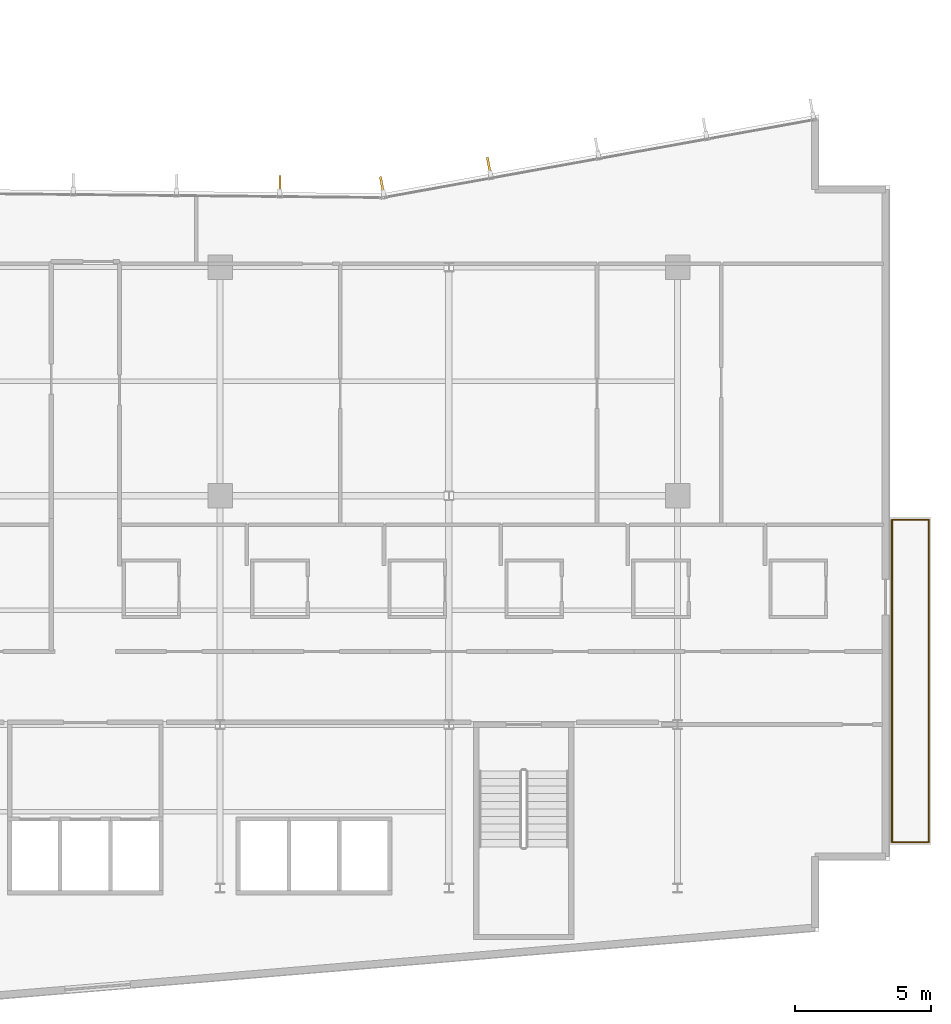
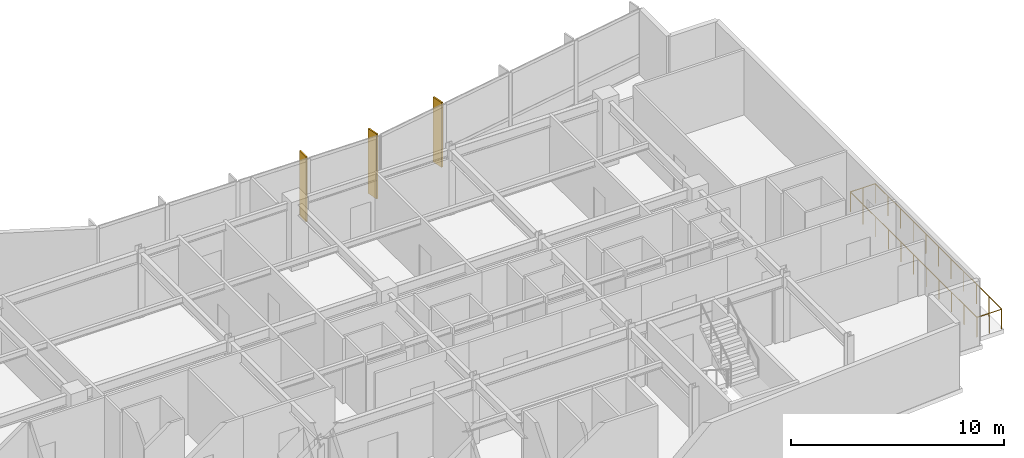
# One storey, part 17 of 19: 4 railings, 3 shading devices.
"""IFC4 building model written with IfcOpenShell, lengths in metres."""

from ifc_helpers import new_model, si_unit, direction, frame, origin, origin_2d, place, context, subcontext, project, spatial, rectangle, circle, extrude, material, layer, layer_set, type_object, element, save


model = new_model("IFC4")

# Units and contexts
model_context = context("Model", 3, precision=1e-05, world=origin(), true_north=direction((0.0, 1.0)))
body_context = subcontext(model_context, "Body", "Model", "MODEL_VIEW")
ifc_project = project(units=[si_unit("LENGTHUNIT", "METRE"), si_unit("AREAUNIT", "SQUARE_METRE"), si_unit("VOLUMEUNIT", "CUBIC_METRE"), si_unit("PLANEANGLEUNIT", "RADIAN"), si_unit("MASSUNIT", "GRAM", prefix="KILO")], contexts=[model_context])

# Site, building, storey
site_placement = place(None, origin())
site = spatial("IfcSite", under=ifc_project, at=site_placement, CompositionType="ELEMENT")
building_placement = place(site_placement, origin())
building = spatial("IfcBuilding", under=site, at=building_placement, Name="Varnakote Quay Hospital", CompositionType="ELEMENT")
storey_placement = place(building_placement, frame((0.0, 0.0, 50.14990234375)))
storey = spatial("IfcBuildingStorey", under=building, at=storey_placement, Name="L12", CompositionType="ELEMENT", Elevation=50.14990234375)

# Railings
ifc_material_1 = material(Name="Anodised aluminium 6063-T6 Bronze", Category="aluminium")
railing_type = type_object("IfcRailingType", Name="RLG-EXT-GUARD-1150", PredefinedType="GUARDRAIL", material=ifc_material_1)
railing_1_placement = place(storey_placement, frame((58.27587890625, 19.52001953125, 0.0)))
element("IfcRailing", 1, at=railing_1_placement, inside=storey, type_object=railing_type, Name="L12 Zigzag Prow Healing Terrace Safety Guard", PredefinedType="GUARDRAIL", context=body_context, shape_type="SweptSolid", body=[
    extrude(circle(Radius=0.02392578125, at=origin_2d()), frame((0.0, 0.0, 1.1259765625), z_axis=(1.0, 0.0, 0.0), x_axis=(0.0, 1.0, 0.0)), (0.0, 0.0, 1.0), 1.34423828125),
    extrude(circle(Radius=0.02099609375, at=origin_2d()), origin(), (0.0, 0.0, 1.0), 1.101806640625),
    extrude(circle(Radius=0.02099609375, at=origin_2d()), frame((0.672119140625, 0.0, 0.0)), (0.0, 0.0, 1.0), 1.101806640625),
    extrude(circle(Radius=0.02099609375, at=origin_2d()), frame((1.34423828125, 0.0, 0.0)), (0.0, 0.0, 1.0), 1.101806640625),
])
railing_2_placement = place(storey_placement, frame((59.6201171875, 19.52001953125, 0.0)))
element("IfcRailing", 2, at=railing_2_placement, inside=storey, type_object=railing_type, Name="L12 Zigzag Prow Healing Terrace Safety Guard", PredefinedType="GUARDRAIL", context=body_context, shape_type="SweptSolid", body=[
    extrude(circle(Radius=0.02392578125, at=origin_2d()), frame((0.0, 0.0, 1.1259765625), z_axis=(0.0, -1.0, 0.0), x_axis=(1.0, 0.0, 0.0)), (0.0, 0.0, 1.0), 11.840087890625),
    extrude(circle(Radius=0.02099609375, at=origin_2d()), origin(), (0.0, 0.0, 1.0), 1.101806640625),
    extrude(circle(Radius=0.02099609375, at=origin_2d()), frame((0.0, -1.18408203125, 0.0)), (0.0, 0.0, 1.0), 1.101806640625),
    extrude(circle(Radius=0.02099609375, at=origin_2d()), frame((0.0, -2.367919921875, 0.0)), (0.0, 0.0, 1.0), 1.101806640625),
    extrude(circle(Radius=0.02099609375, at=origin_2d()), frame((0.0, -3.552001953125, 0.0)), (0.0, 0.0, 1.0), 1.101806640625),
    extrude(circle(Radius=0.02099609375, at=origin_2d()), frame((0.0, -4.736083984375, 0.0)), (0.0, 0.0, 1.0), 1.101806640625),
    extrude(circle(Radius=0.02099609375, at=origin_2d()), frame((0.0, -5.919921875, 0.0)), (0.0, 0.0, 1.0), 1.101806640625),
    extrude(circle(Radius=0.02099609375, at=origin_2d()), frame((0.0, -7.10400390625, 0.0)), (0.0, 0.0, 1.0), 1.101806640625),
    extrude(circle(Radius=0.02099609375, at=origin_2d()), frame((0.0, -8.2880859375, 0.0)), (0.0, 0.0, 1.0), 1.101806640625),
    extrude(circle(Radius=0.02099609375, at=origin_2d()), frame((0.0, -9.47216796875, 0.0)), (0.0, 0.0, 1.0), 1.101806640625),
    extrude(circle(Radius=0.02099609375, at=origin_2d()), frame((0.0, -10.656005859375, 0.0)), (0.0, 0.0, 1.0), 1.101806640625),
    extrude(circle(Radius=0.02099609375, at=origin_2d()), frame((0.0, -11.840087890625, 0.0)), (0.0, 0.0, 1.0), 1.101806640625),
])
railing_3_placement = place(storey_placement, frame((59.6201171875, 7.679931640625, 0.0)))
element("IfcRailing", 3, at=railing_3_placement, inside=storey, type_object=railing_type, Name="L12 Zigzag Prow Healing Terrace Safety Guard", PredefinedType="GUARDRAIL", context=body_context, shape_type="SweptSolid", body=[
    extrude(circle(Radius=0.02392578125, at=origin_2d()), frame((0.0, 0.0, 1.1259765625), z_axis=(-1.0, 0.0, 0.0), x_axis=(0.0, -1.0, 0.0)), (0.0, 0.0, 1.0), 1.34423828125),
    extrude(circle(Radius=0.02099609375, at=origin_2d()), origin(), (0.0, 0.0, 1.0), 1.101806640625),
    extrude(circle(Radius=0.02099609375, at=origin_2d()), frame((-0.672119140625, 0.0, 0.0)), (0.0, 0.0, 1.0), 1.101806640625),
    extrude(circle(Radius=0.02099609375, at=origin_2d()), frame((-1.34423828125, 0.0, 0.0)), (0.0, 0.0, 1.0), 1.101806640625),
])
railing_4_placement = place(storey_placement, frame((58.27587890625, 7.679931640625, 0.0)))
element("IfcRailing", 4, at=railing_4_placement, inside=storey, type_object=railing_type, Name="L12 Zigzag Prow Healing Terrace Safety Guard", PredefinedType="GUARDRAIL", context=body_context, shape_type="SweptSolid", body=[
    extrude(circle(Radius=0.02392578125, at=origin_2d()), frame((0.0, 0.0, 1.1259765625), z_axis=(0.0, 1.0, 0.0), x_axis=(-1.0, 0.0, 0.0)), (0.0, 0.0, 1.0), 11.840087890625),
    extrude(circle(Radius=0.02099609375, at=origin_2d()), origin(), (0.0, 0.0, 1.0), 1.101806640625),
    extrude(circle(Radius=0.02099609375, at=origin_2d()), frame((0.0, 1.18408203125, 0.0)), (0.0, 0.0, 1.0), 1.101806640625),
    extrude(circle(Radius=0.02099609375, at=origin_2d()), frame((0.0, 2.367919921875, 0.0)), (0.0, 0.0, 1.0), 1.101806640625),
    extrude(circle(Radius=0.02099609375, at=origin_2d()), frame((0.0, 3.552001953125, 0.0)), (0.0, 0.0, 1.0), 1.101806640625),
    extrude(circle(Radius=0.02099609375, at=origin_2d()), frame((0.0, 4.736083984375, 0.0)), (0.0, 0.0, 1.0), 1.101806640625),
    extrude(circle(Radius=0.02099609375, at=origin_2d()), frame((0.0, 5.919921875, 0.0)), (0.0, 0.0, 1.0), 1.101806640625),
    extrude(circle(Radius=0.02099609375, at=origin_2d()), frame((0.0, 7.10400390625, 0.0)), (0.0, 0.0, 1.0), 1.101806640625),
    extrude(circle(Radius=0.02099609375, at=origin_2d()), frame((0.0, 8.2880859375, 0.0)), (0.0, 0.0, 1.0), 1.101806640625),
    extrude(circle(Radius=0.02099609375, at=origin_2d()), frame((0.0, 9.47216796875, 0.0)), (0.0, 0.0, 1.0), 1.101806640625),
    extrude(circle(Radius=0.02099609375, at=origin_2d()), frame((0.0, 10.656005859375, 0.0)), (0.0, 0.0, 1.0), 1.101806640625),
    extrude(circle(Radius=0.02099609375, at=origin_2d()), frame((0.0, 11.840087890625, 0.0)), (0.0, 0.0, 1.0), 1.101806640625),
])

# Shading devices
ifc_material_2 = material(Name="Anodised aluminium 6063-T6 Bronze", Category="aluminium")
ifc_layer = layer(ifc_material_2, 0.0849609375)
ifc_layer_set = layer_set([ifc_layer], Name="Anodised aluminium 6063-T6 Bronze")
shading_device_type = type_object("IfcShadingDeviceType", Name="SHD-BRONZE-FIN-620", PredefinedType="USERDEFINED", material=ifc_layer_set)
for number, where, z_axis, x_axis, name in (
    (5, (43.468505859375, 32.522705078125, 0.0), (0.0, 0.0, 1.0), (0.177771795263, -0.984071739666, 0.0), "L12 Anodised Bronze Vertical Shading FIN"),
    (6, (39.54296875, 31.81298828125, 0.0), (0.0, 0.0, 1.0), (0.177771795263, -0.984071739666, 0.0), "L12 Anodised Bronze Vertical Shading FIN"),
    (7, (35.798583984375, 31.85107421875, 0.0), (0.0, 0.0, 1.0), (-0.009773688199, -0.999952236369, 0.0), "L12 Anodised Bronze Vertical Shading FIN"),
):
    element("IfcShadingDevice", number, at=place(storey_placement, frame(where, z_axis=z_axis, x_axis=x_axis)), inside=storey, type_object=shading_device_type, Name=name, ObjectType="FIN", PredefinedType="USERDEFINED", context=body_context, shape_type="SweptSolid", body=[
        extrude(rectangle(XDim=0.6201171875, YDim=0.0849609375, at=origin_2d()), origin(), (0.0, 0.0, 1.0), 3.7099609375),
    ])

save(model, "model.ifc")
